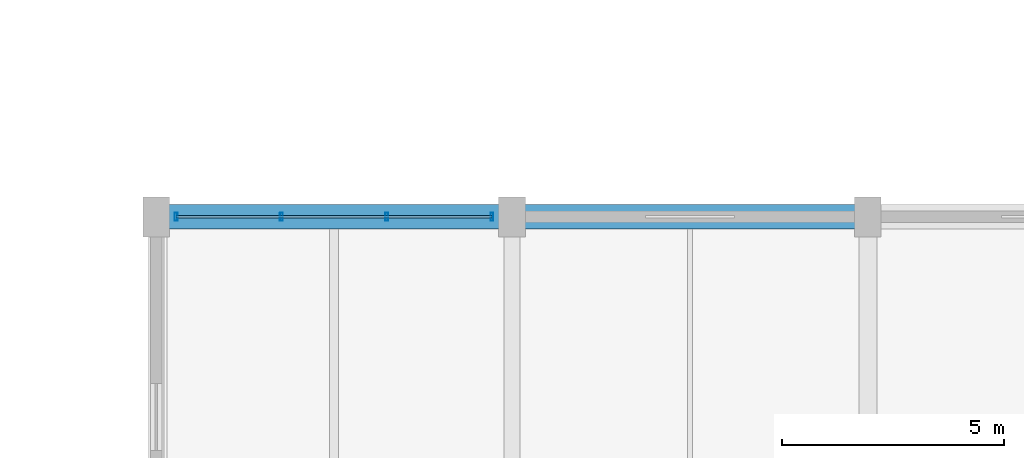
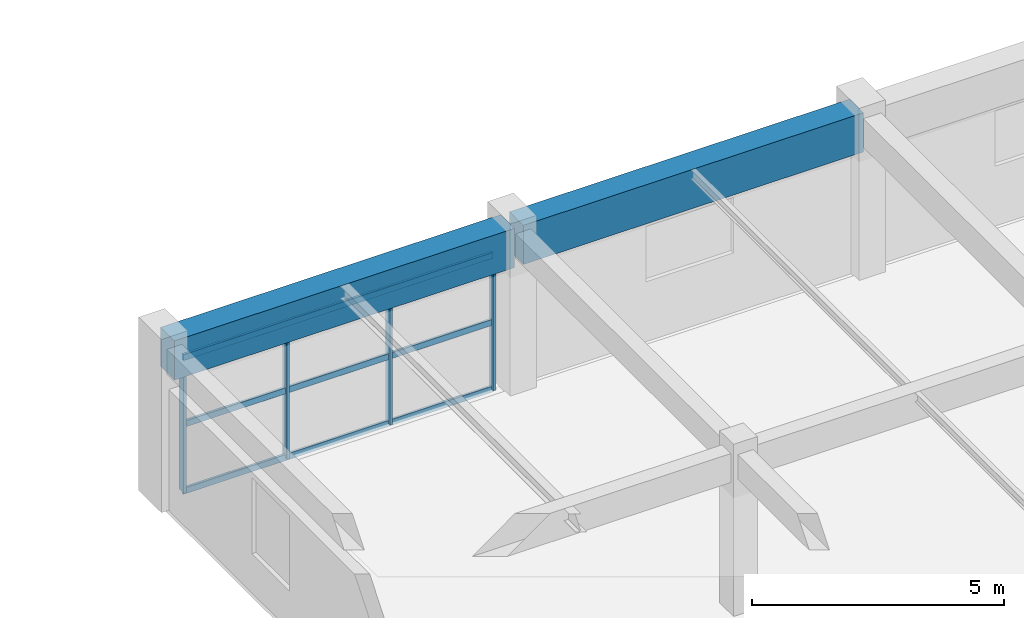
# One storey, part 4 of 63: 7 members, 2 beams, 1 element without a shape of its own.
"""IFC4 building model written with IfcOpenShell, lengths in metres."""

from ifc_helpers import new_model, si_unit, direction, frame, origin, origin_2d, place, context, subcontext, project, spatial, rectangle, hollow_rectangle, extrude, material, material_profile, profile_set, type_object, element, aggregate, save


model = new_model("IFC4")

# Units and contexts
model_context = context("Model", 3, precision=1e-05, world=origin(), true_north=direction((0.0, 1.0)))
body_context = subcontext(model_context, "Body", "Model", "MODEL_VIEW")
ifc_project = project(units=[si_unit("LENGTHUNIT", "METRE"), si_unit("AREAUNIT", "SQUARE_METRE"), si_unit("VOLUMEUNIT", "CUBIC_METRE"), si_unit("PLANEANGLEUNIT", "RADIAN"), si_unit("MASSUNIT", "GRAM", prefix="KILO")], contexts=[model_context])

# Site, building, storey
site_placement = place(None, origin())
site = spatial("IfcSite", under=ifc_project, at=site_placement, CompositionType="ELEMENT")
building_placement = place(site_placement, origin())
building = spatial("IfcBuilding", under=site, at=building_placement, Name="Varnabhumi Central Station", CompositionType="ELEMENT")
storey_placement = place(building_placement, frame((0.0, 0.0, 20.39990234375)))
storey = spatial("IfcBuildingStorey", under=building, at=storey_placement, Name="L04", CompositionType="ELEMENT", Elevation=20.39990234375)

# Beams
ifc_material_1 = material(Name="Concrete M40", Category="concrete")
ifc_material_profile_1 = material_profile(ifc_material_1, rectangle(XDim=0.550048828125, YDim=0.949951171875, at=origin_2d()), Name="Concrete M40", Category="concrete")
ifc_profile_set_1 = profile_set([ifc_material_profile_1], Name="Concrete M40")
beam_type = type_object("IfcBeamType", Name="BM-RC-550x950", PredefinedType="BEAM", material=ifc_profile_set_1)
for number, where, z_axis, x_axis, name in (
    (1, (32.10009765625, 36.0, 3.445068359375), (1.0, 0.0, 0.0), (0.0, 1.0, 0.0), "Beam L04-E:5-6"),
    (2, (40.10009765625, 36.0, 3.445068359375), (1.0, 0.0, 0.0), (0.0, 1.0, 0.0), "Beam L04-E:6-7"),
):
    element("IfcBeam", number, at=place(storey_placement, frame(where, z_axis=z_axis, x_axis=x_axis)), inside=storey, type_object=beam_type, Name=name, PredefinedType="BEAM", context=body_context, shape_type="SweptSolid", body=[
        extrude(rectangle(XDim=0.550048828125, YDim=0.949951171875, at=origin_2d()), origin(), (0.0, 0.0, 1.0), 7.7998046875),
    ])

# Curtain wall, members
ifc_material_2 = material(Name="Anodised aluminium 6063-T6", Category="aluminium")
curtain_wall_type = type_object("IfcCurtainWallType", Name="CW-SPINE-SCREEN-L0", PredefinedType="NOTDEFINED", material=ifc_material_2)
curtain_wall_placement = place(storey_placement, origin())
curtain_wall = element("IfcCurtainWall", 3, at=curtain_wall_placement, inside=storey, type_object=curtain_wall_type, Name="Curtain Wall CW-SS400", PredefinedType="NOTDEFINED")
ifc_material_profile_2 = material_profile(ifc_material_2, hollow_rectangle(XDim=0.06494140625, YDim=0.179931640625, WallThickness=0.00390625, InnerFilletRadius=0.001953125, OuterFilletRadius=0.006103515625, at=origin_2d()), Name="Anodised aluminium 6063-T6", Category="aluminium")
ifc_profile_set_2 = profile_set([ifc_material_profile_2], Name="Anodised aluminium 6063-T6")
member_type_1 = type_object("IfcMemberType", Name="CW-MUL-180", PredefinedType="MULLION", material=ifc_profile_set_2)
member_1_placement = place(storey_placement, frame((32.449951171875, 36.0, 0.0), z_axis=(0.0, 0.0, 1.0), x_axis=(1.0, 0.0, 0.0)))
member_1 = element("IfcMember", 4, at=member_1_placement, type_object=member_type_1, Name="Curtain Wall Mullion CW-SS400-M1", PredefinedType="MULLION", context=body_context, shape_type="SweptSolid", body=[
    extrude(hollow_rectangle(XDim=0.06494140625, YDim=0.179931640625, WallThickness=0.00390625, InnerFilletRadius=0.001953125, OuterFilletRadius=0.006103515625, at=origin_2d()), origin(), (0.0, 0.0, 1.0), 3.239990234375),
])
member_2_placement = place(storey_placement, frame((34.816650390625, 36.0, 0.0), z_axis=(0.0, 0.0, 1.0), x_axis=(1.0, 0.0, 0.0)))
member_2 = element("IfcMember", 5, at=member_2_placement, type_object=member_type_1, Name="Curtain Wall Mullion CW-SS400-M2", PredefinedType="MULLION", context=body_context, shape_type="SweptSolid", body=[
    extrude(hollow_rectangle(XDim=0.06494140625, YDim=0.179931640625, WallThickness=0.00390625, InnerFilletRadius=0.001953125, OuterFilletRadius=0.006103515625, at=origin_2d()), origin(), (0.0, 0.0, 1.0), 3.239990234375),
])
member_3_placement = place(storey_placement, frame((37.183349609375, 36.0, 0.0), z_axis=(0.0, 0.0, 1.0), x_axis=(1.0, 0.0, 0.0)))
member_3 = element("IfcMember", 6, at=member_3_placement, type_object=member_type_1, Name="Curtain Wall Mullion CW-SS400-M3", PredefinedType="MULLION", context=body_context, shape_type="SweptSolid", body=[
    extrude(hollow_rectangle(XDim=0.06494140625, YDim=0.179931640625, WallThickness=0.00390625, InnerFilletRadius=0.001953125, OuterFilletRadius=0.006103515625, at=origin_2d()), origin(), (0.0, 0.0, 1.0), 3.239990234375),
])
member_4_placement = place(storey_placement, frame((39.550048828125, 36.0, 0.0), z_axis=(0.0, 0.0, 1.0), x_axis=(1.0, 0.0, 0.0)))
member_4 = element("IfcMember", 7, at=member_4_placement, type_object=member_type_1, Name="Curtain Wall Mullion CW-SS400-M4", PredefinedType="MULLION", context=body_context, shape_type="SweptSolid", body=[
    extrude(hollow_rectangle(XDim=0.06494140625, YDim=0.179931640625, WallThickness=0.00390625, InnerFilletRadius=0.001953125, OuterFilletRadius=0.006103515625, at=origin_2d()), origin(), (0.0, 0.0, 1.0), 3.239990234375),
])
ifc_material_profile_3 = material_profile(ifc_material_2, hollow_rectangle(XDim=0.06005859375, YDim=0.14990234375, WallThickness=0.00390625, InnerFilletRadius=0.001953125, OuterFilletRadius=0.006103515625, at=origin_2d()), Name="Anodised aluminium 6063-T6", Category="aluminium")
ifc_profile_set_3 = profile_set([ifc_material_profile_3], Name="Anodised aluminium 6063-T6")
member_type_2 = type_object("IfcMemberType", Name="CW-TR-150", PredefinedType="USERDEFINED", material=ifc_profile_set_3)
member_5_placement = place(storey_placement, frame((32.449951171875, 36.0, 0.0), z_axis=(1.0, 0.0, 0.0), x_axis=(0.0, 1.0, 0.0)))
member_5 = element("IfcMember", 8, at=member_5_placement, type_object=member_type_2, Name="Curtain Wall Transom CW-SS400-T1", ObjectType="TRANSOM", PredefinedType="USERDEFINED", context=body_context, shape_type="SweptSolid", body=[
    extrude(hollow_rectangle(XDim=0.06005859375, YDim=0.14990234375, WallThickness=0.00390625, InnerFilletRadius=0.001953125, OuterFilletRadius=0.006103515625, at=origin_2d()), origin(), (0.0, 0.0, 1.0), 7.10009765625),
])
member_6_placement = place(storey_placement, frame((32.449951171875, 36.0, 1.6201171875), z_axis=(1.0, 0.0, 0.0), x_axis=(0.0, 1.0, 0.0)))
member_6 = element("IfcMember", 9, at=member_6_placement, type_object=member_type_2, Name="Curtain Wall Transom CW-SS400-T2", ObjectType="TRANSOM", PredefinedType="USERDEFINED", context=body_context, shape_type="SweptSolid", body=[
    extrude(hollow_rectangle(XDim=0.06005859375, YDim=0.14990234375, WallThickness=0.00390625, InnerFilletRadius=0.001953125, OuterFilletRadius=0.006103515625, at=origin_2d()), origin(), (0.0, 0.0, 1.0), 7.10009765625),
])
member_7_placement = place(storey_placement, frame((32.449951171875, 36.0, 3.239990234375), z_axis=(1.0, 0.0, 0.0), x_axis=(0.0, 1.0, 0.0)))
member_7 = element("IfcMember", 10, at=member_7_placement, type_object=member_type_2, Name="Curtain Wall Transom CW-SS400-T3", ObjectType="TRANSOM", PredefinedType="USERDEFINED", context=body_context, shape_type="SweptSolid", body=[
    extrude(hollow_rectangle(XDim=0.06005859375, YDim=0.14990234375, WallThickness=0.00390625, InnerFilletRadius=0.001953125, OuterFilletRadius=0.006103515625, at=origin_2d()), origin(), (0.0, 0.0, 1.0), 7.10009765625),
])
aggregate(curtain_wall, [member_1, member_2, member_3, member_4, member_5, member_6, member_7])

save(model, "model.ifc")
